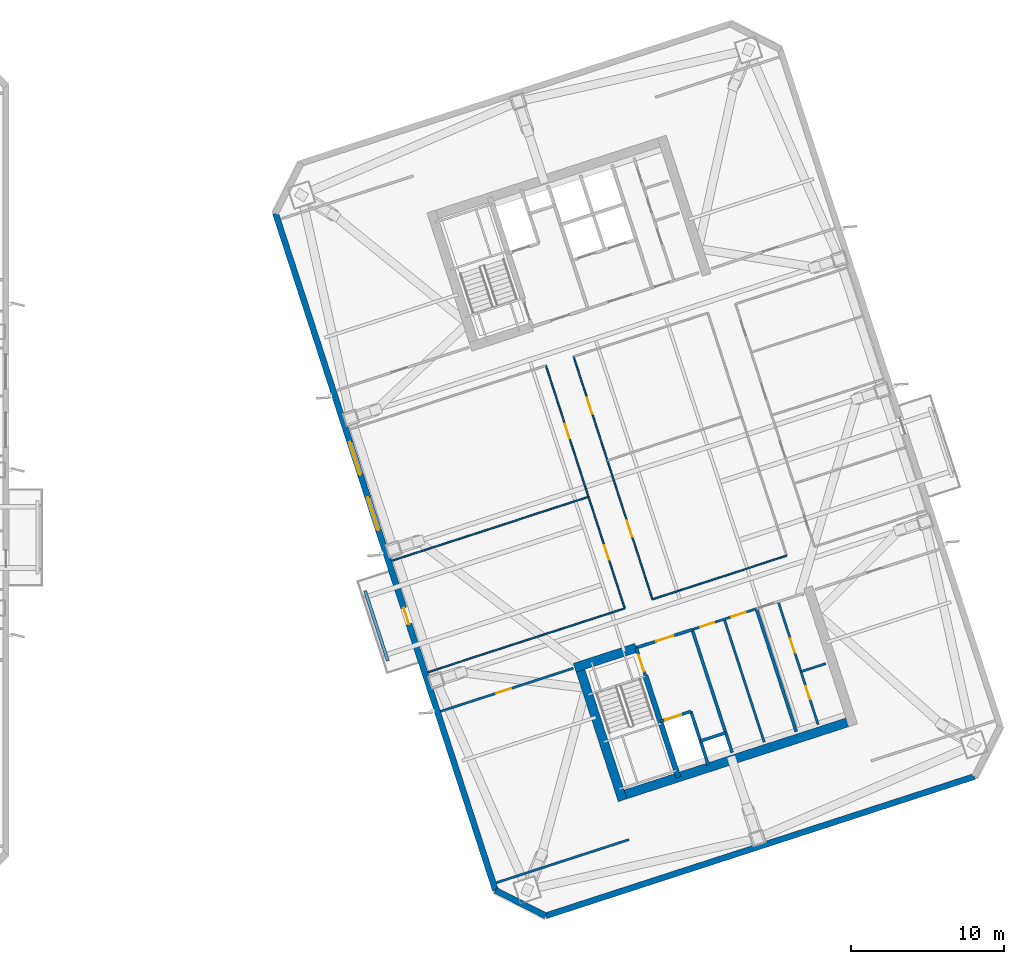
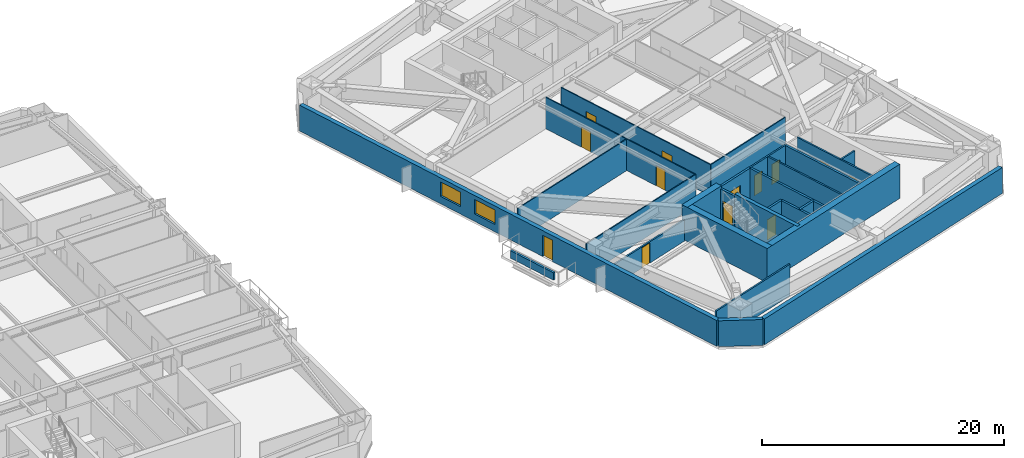
# One storey, part 8 of 17: 26 walls, 13 doors, 2 windows, 15 openings.
"""IFC4 building model written with IfcOpenShell, lengths in metres."""

from ifc_helpers import new_model, si_unit, direction, frame, frame_2d, origin, place, context, subcontext, project, spatial, rectangle, extrude, material, layer, layer_set, type_object, element, fill, save


model = new_model("IFC4")

# Units and contexts
model_context = context("Model", 3, precision=1e-05, world=origin(), true_north=direction((0.0, 1.0)))
body_context = subcontext(model_context, "Body", "Model", "MODEL_VIEW")
ifc_project = project(units=[si_unit("LENGTHUNIT", "METRE"), si_unit("AREAUNIT", "SQUARE_METRE"), si_unit("VOLUMEUNIT", "CUBIC_METRE"), si_unit("PLANEANGLEUNIT", "RADIAN"), si_unit("MASSUNIT", "GRAM", prefix="KILO")], contexts=[model_context])

# Site, building, storey
site_placement = place(None, origin())
site = spatial("IfcSite", under=ifc_project, at=site_placement, CompositionType="ELEMENT")
building_placement = place(site_placement, origin())
building = spatial("IfcBuilding", under=site, at=building_placement, Name="Qiaolan Cultural Towers", CompositionType="ELEMENT")
storey_placement = place(building_placement, frame((0.0, 0.0, 131.10009765625)))
storey = spatial("IfcBuildingStorey", under=building, at=storey_placement, Name="L34", CompositionType="ELEMENT", Elevation=131.10009765625)

# Walls
ifc_material_1 = material(Name="Concrete C50", Category="concrete")
ifc_layer_1 = layer(ifc_material_1, 0.35009765625)
ifc_layer_set_1 = layer_set([ifc_layer_1], Name="Concrete C50")
wall_type_1 = type_object("IfcWallType", Name="WL-CORE-350", PredefinedType="SHEAR", material=ifc_layer_set_1)
wall_1_placement = place(storey_placement, frame((90.486328125, 20.59423828125, 0.0), z_axis=(0.0, 0.0, 1.0), x_axis=(0.309020428229, -0.951055400562, 0.0)))
element("IfcWall", 1, at=wall_1_placement, inside=storey, type_object=wall_type_1, Name="L34 T2-CS Stair Core Dividing Web", PredefinedType="SHEAR", context=body_context, shape_type="SweptSolid", body=[
    extrude(rectangle(XDim=6.97998046875, YDim=0.35009765625, at=frame_2d((3.489990234375, 0.0))), origin(), (0.0, 0.0, 1.0), 3.449951171875),
])
ifc_material_2 = material(Name="Concrete C55", Category="concrete")
ifc_layer_2 = layer(ifc_material_2, 0.60009765625)
ifc_layer_set_2 = layer_set([ifc_layer_2], Name="Concrete C55")
wall_type_2 = type_object("IfcWallType", Name="WL-CORE-600", PredefinedType="SHEAR", material=ifc_layer_set_2)
wall_2_placement = place(storey_placement, frame((88.6298828125, 12.65185546875, 0.0), z_axis=(0.0, 0.0, 1.0), x_axis=(0.95105714907, 0.309015046886, 0.0)))
element("IfcWall", 2, at=wall_2_placement, inside=storey, type_object=wall_type_2, Name="L34 T2-CS Outer Core Shear Wall", PredefinedType="SHEAR", context=body_context, shape_type="SweptSolid", body=[
    extrude(rectangle(XDim=16.400146484375, YDim=0.60009765625, at=frame_2d((8.2001953125, 0.0))), origin(), (0.0, 0.0, 1.0), 3.449951171875),
])
wall_3_placement = place(storey_placement, frame((86.078369140625, 21.47509765625, 0.0), z_axis=(0.0, 0.0, 1.0), x_axis=(0.309017938678, -0.951056209472, 0.0)))
element("IfcWall", 3, at=wall_3_placement, inside=storey, type_object=wall_type_2, Name="L34 T2-CS West Core Shear Wall", PredefinedType="SHEAR", context=body_context, shape_type="SweptSolid", body=[
    extrude(rectangle(XDim=9.479736328125, YDim=0.60009765625, at=frame_2d((4.73974609375, 0.0))), origin(), (0.0, 0.0, 1.0), 3.449951171875),
])
wall_4_placement = place(storey_placement, frame((85.8857421875, 21.09716796875, 0.0), z_axis=(0.0, 0.0, 1.0), x_axis=(0.951068073652, 0.308981422225, 0.0)))
element("IfcWall", 4, at=wall_4_placement, inside=storey, type_object=wall_type_2, Name="L34 T2-CS Stair Front Shear Wall", PredefinedType="SHEAR", context=body_context, shape_type="SweptSolid", body=[
    extrude(rectangle(XDim=4.22021484375, YDim=0.60009765625, at=frame_2d((2.110107421875, 0.0))), origin(), (0.0, 0.0, 1.0), 3.449951171875),
])

# Wall, openings, door, windows
ifc_material_3 = material(Name="Precast Concrete C50 Honed Stone Pier", Category="masonry")
ifc_layer_3 = layer(ifc_material_3, 0.39990234375)
ifc_layer_set_3 = layer_set([ifc_layer_3], Name="Precast Concrete C50 Honed Stone Pier")
wall_type_3 = type_object("IfcWallType", Name="WL-EXT-PIER-400", PredefinedType="SOLIDWALL", material=ifc_layer_set_3)
wall_5_placement = place(storey_placement, frame((80.7158203125, 6.589599609375, 0.0), z_axis=(0.0, 0.0, 1.0), x_axis=(-0.309017542002, 0.95105633836, 0.0)))
wall_5 = element("IfcWall", 5, at=wall_5_placement, inside=storey, type_object=wall_type_3, Name="L34 East Tower Precast Pier Facade Wall F1", PredefinedType="SOLIDWALL", context=body_context, shape_type="SweptSolid", body=[
    extrude(rectangle(XDim=46.39990234375, YDim=0.39990234375, at=frame_2d((23.199951171875, 0.0))), origin(), (0.0, 0.0, 1.0), 2.60986328125),
])
opening_1_placement = place(wall_5_placement, frame((24.675048828125, 0.0, 0.75)))
opening_1 = element("IfcOpeningElement", 6, at=opening_1_placement, cuts=wall_5, Name="Opening W-03", PredefinedType="OPENING", context=body_context, shape_type="SweptSolid", body=[
    extrude(rectangle(XDim=2.25, YDim=1.4599609375, at=frame_2d((1.125, 0.72998046875))), frame((0.0, 0.2099609375, 0.0), z_axis=(0.0, -1.0, 0.0), x_axis=(1.0, 0.0, 0.0)), (0.0, 0.0, 1.0), 0.419921875),
])
opening_2_placement = place(wall_5_placement, frame((28.47509765625, 0.0, 0.75)))
opening_2 = element("IfcOpeningElement", 7, at=opening_2_placement, cuts=wall_5, Name="Opening W-03", PredefinedType="OPENING", context=body_context, shape_type="SweptSolid", body=[
    extrude(rectangle(XDim=2.25, YDim=1.4599609375, at=frame_2d((1.125, 0.72998046875))), frame((0.0, 0.2099609375, 0.0), z_axis=(0.0, -1.0, 0.0), x_axis=(1.0, 0.0, 0.0)), (0.0, 0.0, 1.0), 0.419921875),
])
opening_3_placement = place(wall_5_placement, frame((18.25, 0.0, 0.0)))
opening_3 = element("IfcOpeningElement", 8, at=opening_3_placement, cuts=wall_5, Name="Opening BD-01", PredefinedType="OPENING", context=body_context, shape_type="SweptSolid", body=[
    extrude(rectangle(XDim=1.10009765625, YDim=2.14990234375, at=frame_2d((0.550048828125, 1.074951171875))), frame((0.0, 0.2099609375, 0.0), z_axis=(0.0, -1.0, 0.0), x_axis=(1.0, 0.0, 0.0)), (0.0, 0.0, 1.0), 0.419921875),
])
ifc_material_4 = material(Name="Thermally Broken Aluminium Glazed Terrace Door", Category="aluminium")
door_type_1 = type_object("IfcDoorType", Name="DR-BAL-1100", OperationType="NOTDEFINED", PredefinedType="DOOR", material=ifc_material_4)
door_1_placement = place(opening_3_placement, origin())
door_1 = element("IfcDoor", 9, at=door_1_placement, inside=storey, type_object=door_type_1, Name="L34 T2 West Tree Balcony Door", OperationType="SINGLE_SWING_LEFT", OverallHeight=2.14990234375, OverallWidth=1.10009765625, PredefinedType="DOOR", context=body_context, shape_type="SweptSolid", body=[
    extrude(rectangle(XDim=1.10009765625, YDim=2.14990234375, at=frame_2d((0.550048828125, 1.074951171875))), frame((0.0, 0.02490234375, 0.0), z_axis=(0.0, -1.0, 0.0), x_axis=(1.0, 0.0, 0.0)), (0.0, 0.0, 1.0), 0.050048828125),
])
fill(opening_3, door_1)
ifc_material_5 = material(Name="Thermally Broken Aluminium Triple Low-E Glazing", Category="aluminium")
window_type = type_object("IfcWindowType", Name="WN-CHIC-2250", PartitioningType="SINGLE_PANEL", PredefinedType="WINDOW", material=ifc_material_5)
window_1_placement = place(opening_1_placement, origin())
window_1 = element("IfcWindow", 10, at=window_1_placement, inside=storey, type_object=window_type, Name="L34 T2 W Chicago Bay Window 1", OverallHeight=1.4599609375, OverallWidth=2.25, PartitioningType="TRIPLE_PANEL_VERTICAL", PredefinedType="WINDOW", context=body_context, shape_type="SweptSolid", body=[
    extrude(rectangle(XDim=2.25, YDim=1.4599609375, at=frame_2d((1.125, 0.72998046875))), frame((0.0, 0.030029296875, 0.0), z_axis=(0.0, -1.0, 0.0), x_axis=(1.0, 0.0, 0.0)), (0.0, 0.0, 1.0), 0.06005859375),
])
fill(opening_1, window_1)
window_2_placement = place(opening_2_placement, origin())
window_2 = element("IfcWindow", 11, at=window_2_placement, inside=storey, type_object=window_type, Name="L34 T2 W Chicago Bay Window 2", OverallHeight=1.4599609375, OverallWidth=2.25, PartitioningType="TRIPLE_PANEL_VERTICAL", PredefinedType="WINDOW", context=body_context, shape_type="SweptSolid", body=[
    extrude(rectangle(XDim=2.25, YDim=1.4599609375, at=frame_2d((1.125, 0.72998046875))), frame((0.0, 0.030029296875, 0.0), z_axis=(0.0, -1.0, 0.0), x_axis=(1.0, 0.0, 0.0)), (0.0, 0.0, 1.0), 0.06005859375),
])
fill(opening_2, window_2)

# Walls
wall_6_placement = place(storey_placement, frame((111.953125, 14.00537109375, 0.0), z_axis=(0.0, 0.0, 1.0), x_axis=(-0.95105505922, -0.309021478754, 0.0)))
element("IfcWall", 12, at=wall_6_placement, inside=storey, type_object=wall_type_3, Name="L34 East Tower Precast Pier Facade Wall F7", PredefinedType="SOLIDWALL", context=body_context, shape_type="SweptSolid", body=[
    extrude(rectangle(XDim=29.39990234375, YDim=0.39990234375, at=frame_2d((14.699951171875, 0.0))), origin(), (0.0, 0.0, 1.0), 2.60986328125),
])
wall_7_placement = place(storey_placement, frame((83.9921875, 4.920166015625, 0.0), z_axis=(0.0, 0.0, 1.0), x_axis=(-0.891001999643, 0.45399937955, 0.0)))
element("IfcWall", 13, at=wall_7_placement, inside=storey, type_object=wall_type_3, Name="L34 East Tower Precast Pier Facade Wall F8", PredefinedType="SOLIDWALL", context=body_context, shape_type="SweptSolid", body=[
    extrude(rectangle(XDim=3.67724609375, YDim=0.39990234375, at=frame_2d((1.838623046875, 0.0))), origin(), (0.0, 0.0, 1.0), 2.60986328125),
])

# Wall, opening, door
ifc_material_6 = material(Name="Concrete C35 Fire Wall", Category="concrete")
ifc_layer_4 = layer(ifc_material_6, 0.199951171875)
ifc_layer_set_4 = layer_set([ifc_layer_4], Name="Concrete C35 Fire Wall")
wall_type_4 = type_object("IfcWallType", Name="WL-FIRE-200", PredefinedType="PARTITIONING", material=ifc_layer_set_4)
wall_8_placement = place(storey_placement, frame((89.8994140625, 22.401123046875, 0.0), z_axis=(0.0, 0.0, 1.0), x_axis=(0.308932062672, -0.951084108086, 0.0)))
wall_8 = element("IfcWall", 14, at=wall_8_placement, inside=storey, type_object=wall_type_4, Name="L34 T2-CS Smokeproof Stair Entry Wall", PredefinedType="PARTITIONING", context=body_context, shape_type="SweptSolid", body=[
    extrude(rectangle(XDim=1.89990234375, YDim=0.199951171875, at=frame_2d((0.949951171875, 0.0))), origin(), (0.0, 0.0, 1.0), 3.1748046875),
])
opening_4_placement = place(wall_8_placement, frame((0.52001953125, 0.0, 0.0)))
opening_4 = element("IfcOpeningElement", 15, at=opening_4_placement, cuts=wall_8, Name="Opening FD-04", PredefinedType="OPENING", context=body_context, shape_type="SweptSolid", body=[
    extrude(rectangle(XDim=1.10009765625, YDim=2.050048828125, at=frame_2d((0.550048828125, 1.02490234375))), frame((0.0, 0.10986328125, 0.0), z_axis=(0.0, -1.0, 0.0), x_axis=(1.0, 0.0, 0.0)), (0.0, 0.0, 1.0), 0.219970703125),
])
ifc_material_7 = material(Name="Galvanized Steel Command Fire Door", Category="steel")
door_type_2 = type_object("IfcDoorType", Name="DR-FD90-1100", OperationType="NOTDEFINED", PredefinedType="DOOR", material=ifc_material_7)
door_2_placement = place(opening_4_placement, origin())
door_2 = element("IfcDoor", 16, at=door_2_placement, inside=storey, type_object=door_type_2, Name="L34 ST-E1 Smokeproof Stair Fire Door", OperationType="SINGLE_SWING_LEFT", OverallHeight=2.050048828125, OverallWidth=1.10009765625, PredefinedType="DOOR", context=body_context, shape_type="SweptSolid", body=[
    extrude(rectangle(XDim=1.10009765625, YDim=2.050048828125, at=frame_2d((0.550048828125, 1.02490234375))), frame((0.0, 0.02490234375, 0.0), z_axis=(0.0, -1.0, 0.0), x_axis=(1.0, 0.0, 0.0)), (0.0, 0.0, 1.0), 0.050048828125),
])
fill(opening_4, door_2)

# Wall
wall_9_placement = place(storey_placement, frame((93.541748046875, 23.584716796875, 0.0), z_axis=(0.0, 0.0, 1.0), x_axis=(0.309042196757, -0.951048327176, 0.0)))
element("IfcWall", 17, at=wall_9_placement, inside=storey, type_object=wall_type_4, Name="L34 T2-CS Firefighting Zone Wall", PredefinedType="PARTITIONING", context=body_context, shape_type="SweptSolid", body=[
    extrude(rectangle(XDim=8.429931640625, YDim=0.199951171875, at=frame_2d((4.21484375, 0.0))), origin(), (0.0, 0.0, 1.0), 3.1748046875),
])

# Wall, opening, door
wall_10_placement = place(storey_placement, frame((89.8994140625, 22.401123046875, 0.0), z_axis=(0.0, 0.0, 1.0), x_axis=(0.951046716504, 0.309047153403, 0.0)))
wall_10 = element("IfcWall", 18, at=wall_10_placement, inside=storey, type_object=wall_type_4, Name="L34 T2-CS Firefighting Lobby Front Wall", PredefinedType="PARTITIONING", context=body_context, shape_type="SweptSolid", body=[
    extrude(rectangle(XDim=3.829833984375, YDim=0.199951171875, at=frame_2d((1.9150390625, 0.0))), origin(), (0.0, 0.0, 1.0), 3.1748046875),
])
opening_5_placement = place(wall_10_placement, frame((1.35009765625, 0.0, 0.0)))
opening_5 = element("IfcOpeningElement", 19, at=opening_5_placement, cuts=wall_10, Name="Opening FD-03", PredefinedType="OPENING", context=body_context, shape_type="SweptSolid", body=[
    extrude(rectangle(XDim=1.199951171875, YDim=2.050048828125, at=frame_2d((0.60009765625, 1.02490234375))), frame((0.0, 0.10986328125, 0.0), z_axis=(0.0, -1.0, 0.0), x_axis=(1.0, 0.0, 0.0)), (0.0, 0.0, 1.0), 0.219970703125),
])
ifc_material_8 = material(Name="Galvanized Steel Smokeproof Lobby Fire Door", Category="steel")
door_type_3 = type_object("IfcDoorType", Name="DR-FD90-1200", OperationType="NOTDEFINED", PredefinedType="DOOR", material=ifc_material_8)
door_3_placement = place(opening_5_placement, origin())
door_3 = element("IfcDoor", 20, at=door_3_placement, inside=storey, type_object=door_type_3, Name="L34 FFL-E1 Firefighting Lobby Fire Door", OperationType="SINGLE_SWING_LEFT", OverallHeight=2.050048828125, OverallWidth=1.199951171875, PredefinedType="DOOR", context=body_context, shape_type="SweptSolid", body=[
    extrude(rectangle(XDim=1.199951171875, YDim=2.050048828125, at=frame_2d((0.60009765625, 1.02490234375))), frame((0.0, 0.02490234375, 0.0), z_axis=(0.0, -1.0, 0.0), x_axis=(1.0, 0.0, 0.0)), (0.0, 0.0, 1.0), 0.050048828125),
])
fill(opening_5, door_3)

wall_11_placement = place(storey_placement, frame((91.459716796875, 17.598388671875, 0.0), z_axis=(0.0, 0.0, 1.0), x_axis=(0.951062257173, 0.308999325213, 0.0)))
wall_11 = element("IfcWall", 21, at=wall_11_placement, inside=storey, type_object=wall_type_4, Name="L34 T2-CS Firefighting Shaft Front Wall", PredefinedType="PARTITIONING", context=body_context, shape_type="SweptSolid", body=[
    extrude(rectangle(XDim=2.10009765625, YDim=0.199951171875, at=frame_2d((1.050048828125, 0.0))), origin(), (0.0, 0.0, 1.0), 3.1748046875),
])
opening_6_placement = place(wall_11_placement, frame((0.35009765625, 0.0, 0.0)))
opening_6 = element("IfcOpeningElement", 22, at=opening_6_placement, cuts=wall_11, Name="Opening LD-01", PredefinedType="OPENING", context=body_context, shape_type="SweptSolid", body=[
    extrude(rectangle(XDim=1.10009765625, YDim=2.050048828125, at=frame_2d((0.550048828125, 1.02490234375))), frame((0.0, 0.10986328125, 0.0), z_axis=(0.0, -1.0, 0.0), x_axis=(1.0, 0.0, 0.0)), (0.0, 0.0, 1.0), 0.219970703125),
])
ifc_material_9 = material(Name="Brushed Stainless Steel S30408 Centre-Parting Lift Landing Door", Category="steel")
door_type_4 = type_object("IfcDoorType", Name="DR-LIFT-1100", OperationType="NOTDEFINED", PredefinedType="DOOR", material=ifc_material_9)
door_4_placement = place(opening_6_placement, origin())
door_4 = element("IfcDoor", 23, at=door_4_placement, inside=storey, type_object=door_type_4, Name="L34 FFL-E1 Firefighting Lift Landing Door", OperationType="DOUBLE_DOOR_SLIDING", OverallHeight=2.050048828125, OverallWidth=1.10009765625, PredefinedType="DOOR", context=body_context, shape_type="SweptSolid", body=[
    extrude(rectangle(XDim=1.10009765625, YDim=2.050048828125, at=frame_2d((0.550048828125, 1.02490234375))), frame((0.0, 0.02490234375, 0.0), z_axis=(0.0, -1.0, 0.0), x_axis=(1.0, 0.0, 0.0)), (0.0, 0.0, 1.0), 0.050048828125),
])
fill(opening_6, door_4)

# Walls
wall_12_placement = place(storey_placement, frame((93.45703125, 18.247314453125, 0.0), z_axis=(0.0, 0.0, 1.0), x_axis=(0.3089935693, -0.951064127245, 0.0)))
element("IfcWall", 24, at=wall_12_placement, inside=storey, type_object=wall_type_4, Name="L34 T2-CS Firefighting Hoistway East Wall", PredefinedType="PARTITIONING", context=body_context, shape_type="SweptSolid", body=[
    extrude(rectangle(XDim=3.7001953125, YDim=0.199951171875, at=frame_2d((1.85009765625, 0.0))), origin(), (0.0, 0.0, 1.0), 3.1748046875),
])
wall_13_placement = place(storey_placement, frame((94.08447265625, 16.316650390625, 0.0), z_axis=(0.0, 0.0, 1.0), x_axis=(0.951041328149, 0.309063734775, 0.0)))
element("IfcWall", 25, at=wall_13_placement, inside=storey, type_object=wall_type_4, Name="L34 T2-CS Pressurization Shaft Front Wall", PredefinedType="PARTITIONING", context=body_context, shape_type="SweptSolid", body=[
    extrude(rectangle(XDim=1.72998046875, YDim=0.199951171875, at=frame_2d((0.864990234375, 0.0))), origin(), (0.0, 0.0, 1.0), 3.1748046875),
])
wall_14_placement = place(storey_placement, frame((97.7265625, 24.9443359375, 0.0), z_axis=(0.0, 0.0, 1.0), x_axis=(0.309016001439, -0.951056838919, 0.0)))
element("IfcWall", 26, at=wall_14_placement, inside=storey, type_object=wall_type_4, Name="L34 T2-CS Lift Core East Wall", PredefinedType="PARTITIONING", context=body_context, shape_type="SweptSolid", body=[
    extrude(rectangle(XDim=8.429931640625, YDim=0.199951171875, at=frame_2d((4.21484375, 0.0))), origin(), (0.0, 0.0, 1.0), 3.1748046875),
])
ifc_material_10 = material(Name="Acoustic Double-Glazed Partition Frame", Category="glass")
ifc_layer_5 = layer(ifc_material_10, 0.10009765625)
ifc_layer_set_5 = layer_set([ifc_layer_5], Name="Acoustic Double-Glazed Partition Frame")
wall_type_5 = type_object("IfcWallType", Name="WL-GLAZED-100", PredefinedType="MOVABLE", material=ifc_layer_set_5)
wall_15_placement = place(storey_placement, frame((76.307861328125, 20.802978515625, 0.0), z_axis=(0.0, 0.0, 1.0), x_axis=(0.951054001411, 0.309024734286, 0.0)))
element("IfcWall", 27, at=wall_15_placement, inside=storey, type_object=wall_type_5, Name="L34 T2 Interior Wall", PredefinedType="MOVABLE", context=body_context, shape_type="SweptSolid", body=[
    extrude(rectangle(XDim=13.500244140625, YDim=0.10009765625, at=frame_2d((6.75, 0.0))), origin(), (0.0, 0.0, 1.0), 3.1748046875),
])
wall_16_placement = place(storey_placement, frame((90.954345703125, 25.561767578125, 0.0), z_axis=(0.0, 0.0, 1.0), x_axis=(0.951052398814, 0.309029666393, 0.0)))
element("IfcWall", 28, at=wall_16_placement, inside=storey, type_object=wall_type_5, Name="L34 T2 Interior Wall", PredefinedType="MOVABLE", context=body_context, shape_type="SweptSolid", body=[
    extrude(rectangle(XDim=9.19970703125, YDim=0.10009765625, at=frame_2d((4.599853515625, 0.0))), origin(), (0.0, 0.0, 1.0), 3.1748046875),
])

# Wall, openings, doors
wall_17_placement = place(storey_placement, frame((89.147216796875, 24.974853515625, 0.0), z_axis=(0.0, 0.0, 1.0), x_axis=(-0.309022042254, 0.951054876125, 0.0)))
wall_17 = element("IfcWall", 29, at=wall_17_placement, inside=storey, type_object=wall_type_5, Name="L34 T2 Interior Wall", PredefinedType="MOVABLE", context=body_context, shape_type="SweptSolid", body=[
    extrude(rectangle(XDim=16.639892578125, YDim=0.10009765625, at=frame_2d((8.31982421875, 0.0))), origin(), (0.0, 0.0, 1.0), 3.1748046875),
])
opening_7_placement = place(wall_17_placement, frame((3.320068359375, 0.0, 0.0)))
opening_7 = element("IfcOpeningElement", 30, at=opening_7_placement, cuts=wall_17, Name="Opening ID-04", PredefinedType="OPENING", context=body_context, shape_type="SweptSolid", body=[
    extrude(rectangle(XDim=1.0, YDim=2.050048828125, at=frame_2d((0.5, 1.02490234375))), frame((0.0, 0.06005859375, 0.0), z_axis=(0.0, -1.0, 0.0), x_axis=(1.0, 0.0, 0.0)), (0.0, 0.0, 1.0), 0.1201171875),
])
opening_8_placement = place(wall_17_placement, frame((11.639892578125, 0.0, 0.0)))
opening_8 = element("IfcOpeningElement", 31, at=opening_8_placement, cuts=wall_17, Name="Opening ID-04", PredefinedType="OPENING", context=body_context, shape_type="SweptSolid", body=[
    extrude(rectangle(XDim=1.0, YDim=2.050048828125, at=frame_2d((0.5, 1.02490234375))), frame((0.0, 0.06005859375, 0.0), z_axis=(0.0, -1.0, 0.0), x_axis=(1.0, 0.0, 0.0)), (0.0, 0.0, 1.0), 0.1201171875),
])
ifc_material_11 = material(Name="Oak Veneer Acoustic Office Door", Category="timber")
door_type_5 = type_object("IfcDoorType", Name="DR-INT-1000", OperationType="NOTDEFINED", PredefinedType="DOOR", material=ifc_material_11)
door_5_placement = place(opening_7_placement, origin())
door_5 = element("IfcDoor", 32, at=door_5_placement, inside=storey, type_object=door_type_5, Name="L34 T2 Design Research Studio Door", OperationType="SINGLE_SWING_LEFT", OverallHeight=2.050048828125, OverallWidth=1.0, PredefinedType="DOOR", context=body_context, shape_type="SweptSolid", body=[
    extrude(rectangle(XDim=1.0, YDim=2.050048828125, at=frame_2d((0.5, 1.02490234375))), frame((0.0, 0.02490234375, 0.0), z_axis=(0.0, -1.0, 0.0), x_axis=(1.0, 0.0, 0.0)), (0.0, 0.0, 1.0), 0.050048828125),
])
fill(opening_7, door_5)
door_6_placement = place(opening_8_placement, origin())
door_6 = element("IfcDoor", 33, at=door_6_placement, inside=storey, type_object=door_type_5, Name="L34 T2 Design Research Studio Door", OperationType="SINGLE_SWING_RIGHT", OverallHeight=2.050048828125, OverallWidth=1.0, PredefinedType="DOOR", context=body_context, shape_type="SweptSolid", body=[
    extrude(rectangle(XDim=1.0, YDim=2.050048828125, at=frame_2d((0.5, 1.02490234375))), frame((0.0, 0.02490234375, 0.0), z_axis=(0.0, -1.0, 0.0), x_axis=(1.0, 0.0, 0.0)), (0.0, 0.0, 1.0), 0.050048828125),
])
fill(opening_8, door_6)

wall_18_placement = place(storey_placement, frame((90.954345703125, 25.561767578125, 0.0), z_axis=(0.0, 0.0, 1.0), x_axis=(-0.30901773025, 0.951056277195, 0.0)))
wall_18 = element("IfcWall", 34, at=wall_18_placement, inside=storey, type_object=wall_type_5, Name="L34 T2 Interior Wall", PredefinedType="MOVABLE", context=body_context, shape_type="SweptSolid", body=[
    extrude(rectangle(XDim=16.64013671875, YDim=0.10009765625, at=frame_2d((8.320068359375, 0.0))), origin(), (0.0, 0.0, 1.0), 3.1748046875),
])
opening_9_placement = place(wall_18_placement, frame((4.283935546875, 0.0, 0.0)))
opening_9 = element("IfcOpeningElement", 35, at=opening_9_placement, cuts=wall_18, Name="Opening ID-03", PredefinedType="OPENING", context=body_context, shape_type="SweptSolid", body=[
    extrude(rectangle(XDim=1.10009765625, YDim=2.050048828125, at=frame_2d((0.550048828125, 1.02490234375))), frame((0.0, 0.06005859375, 0.0), z_axis=(0.0, -1.0, 0.0), x_axis=(1.0, 0.0, 0.0)), (0.0, 0.0, 1.0), 0.1201171875),
])
opening_10_placement = place(wall_18_placement, frame((12.72412109375, 0.0, 0.0)))
opening_10 = element("IfcOpeningElement", 36, at=opening_10_placement, cuts=wall_18, Name="Opening ID-03", PredefinedType="OPENING", context=body_context, shape_type="SweptSolid", body=[
    extrude(rectangle(XDim=1.10009765625, YDim=2.050048828125, at=frame_2d((0.550048828125, 1.02490234375))), frame((0.0, 0.06005859375, 0.0), z_axis=(0.0, -1.0, 0.0), x_axis=(1.0, 0.0, 0.0)), (0.0, 0.0, 1.0), 0.1201171875),
])
ifc_material_12 = material(Name="Oak Veneer Solid-Core Boardroom Door", Category="timber")
door_type_6 = type_object("IfcDoorType", Name="DR-INT-1100", OperationType="NOTDEFINED", PredefinedType="DOOR", material=ifc_material_12)
door_7_placement = place(opening_9_placement, origin())
door_7 = element("IfcDoor", 37, at=door_7_placement, inside=storey, type_object=door_type_6, Name="L34 T2 Central Boardroom Door", OperationType="SINGLE_SWING_LEFT", OverallHeight=2.050048828125, OverallWidth=1.10009765625, PredefinedType="DOOR", context=body_context, shape_type="SweptSolid", body=[
    extrude(rectangle(XDim=1.10009765625, YDim=2.050048828125, at=frame_2d((0.550048828125, 1.02490234375))), frame((0.0, 0.02490234375, 0.0), z_axis=(0.0, -1.0, 0.0), x_axis=(1.0, 0.0, 0.0)), (0.0, 0.0, 1.0), 0.050048828125),
])
fill(opening_9, door_7)
door_8_placement = place(opening_10_placement, origin())
door_8 = element("IfcDoor", 38, at=door_8_placement, inside=storey, type_object=door_type_6, Name="L34 T2 Central Archive Salon Door", OperationType="SINGLE_SWING_RIGHT", OverallHeight=2.050048828125, OverallWidth=1.10009765625, PredefinedType="DOOR", context=body_context, shape_type="SweptSolid", body=[
    extrude(rectangle(XDim=1.10009765625, YDim=2.050048828125, at=frame_2d((0.550048828125, 1.02490234375))), frame((0.0, 0.02490234375, 0.0), z_axis=(0.0, -1.0, 0.0), x_axis=(1.0, 0.0, 0.0)), (0.0, 0.0, 1.0), 0.050048828125),
])
fill(opening_10, door_8)

# Wall
wall_19_placement = place(storey_placement, frame((73.947021484375, 28.069091796875, 0.0), z_axis=(0.0, 0.0, 1.0), x_axis=(0.951059316265, 0.309008376821, 0.0)))
element("IfcWall", 39, at=wall_19_placement, inside=storey, type_object=wall_type_5, Name="L34 T2 Interior Wall", PredefinedType="MOVABLE", context=body_context, shape_type="SweptSolid", body=[
    extrude(rectangle(XDim=13.5, YDim=0.10009765625, at=frame_2d((6.75, 0.0))), origin(), (0.0, 0.0, 1.0), 3.1748046875),
])

# Wall, openings, doors
ifc_material_13 = material(Name="Autoclaved Aerated Concrete Block B06", Category="concrete")
ifc_layer_6 = layer(ifc_material_13, 0.14990234375)
ifc_layer_set_6 = layer_set([ifc_layer_6], Name="Autoclaved Aerated Concrete Block B06")
wall_type_6 = type_object("IfcWallType", Name="WL-PART-150", PredefinedType="PARTITIONING", material=ifc_layer_set_6)
wall_20_placement = place(storey_placement, frame((93.541748046875, 23.584716796875, 0.0), z_axis=(0.0, 0.0, 1.0), x_axis=(0.951063829732, 0.308994485023, 0.0)))
wall_20 = element("IfcWall", 40, at=wall_20_placement, inside=storey, type_object=wall_type_6, Name="L34 T2-CS Reclaimed Core Room Front Wall", PredefinedType="PARTITIONING", context=body_context, shape_type="SweptSolid", body=[
    extrude(rectangle(XDim=4.400146484375, YDim=0.14990234375, at=frame_2d((2.2001953125, 0.0))), origin(), (0.0, 0.0, 1.0), 3.1748046875),
])
opening_11_placement = place(wall_20_placement, frame((0.550048828125, 0.0, 0.0)))
opening_11 = element("IfcOpeningElement", 41, at=opening_11_placement, cuts=wall_20, Name="Opening ID-05", PredefinedType="OPENING", context=body_context, shape_type="SweptSolid", body=[
    extrude(rectangle(XDim=0.949951171875, YDim=2.050048828125, at=frame_2d((0.47509765625, 1.02490234375))), frame((0.0, 0.0849609375, 0.0), z_axis=(0.0, -1.0, 0.0), x_axis=(1.0, 0.0, 0.0)), (0.0, 0.0, 1.0), 0.169921875),
])
opening_12_placement = place(wall_20_placement, frame((2.699951171875, 0.0, 0.0)))
opening_12 = element("IfcOpeningElement", 42, at=opening_12_placement, cuts=wall_20, Name="Opening ID-05", PredefinedType="OPENING", context=body_context, shape_type="SweptSolid", body=[
    extrude(rectangle(XDim=0.949951171875, YDim=2.050048828125, at=frame_2d((0.47509765625, 1.02490234375))), frame((0.0, 0.0849609375, 0.0), z_axis=(0.0, -1.0, 0.0), x_axis=(1.0, 0.0, 0.0)), (0.0, 0.0, 1.0), 0.169921875),
])
ifc_material_14 = material(Name="Fire-Rated Laminate Accessible Core Door", Category="timber")
door_type_7 = type_object("IfcDoorType", Name="DR-INT-950", OperationType="NOTDEFINED", PredefinedType="DOOR", material=ifc_material_14)
door_9_placement = place(opening_11_placement, origin())
door_9 = element("IfcDoor", 43, at=door_9_placement, inside=storey, type_object=door_type_7, Name="L34 Copy Print Room Door", OperationType="SINGLE_SWING_LEFT", OverallHeight=2.050048828125, OverallWidth=0.949951171875, PredefinedType="DOOR", context=body_context, shape_type="SweptSolid", body=[
    extrude(rectangle(XDim=0.949951171875, YDim=2.050048828125, at=frame_2d((0.47509765625, 1.02490234375))), frame((0.0, 0.02490234375, 0.0), z_axis=(0.0, -1.0, 0.0), x_axis=(1.0, 0.0, 0.0)), (0.0, 0.0, 1.0), 0.050048828125),
])
fill(opening_11, door_9)
door_10_placement = place(opening_12_placement, origin())
door_10 = element("IfcDoor", 44, at=door_10_placement, inside=storey, type_object=door_type_7, Name="L34 Tea Pantry Room Door", OperationType="SINGLE_SWING_RIGHT", OverallHeight=2.050048828125, OverallWidth=0.949951171875, PredefinedType="DOOR", context=body_context, shape_type="SweptSolid", body=[
    extrude(rectangle(XDim=0.949951171875, YDim=2.050048828125, at=frame_2d((0.47509765625, 1.02490234375))), frame((0.0, 0.02490234375, 0.0), z_axis=(0.0, -1.0, 0.0), x_axis=(1.0, 0.0, 0.0)), (0.0, 0.0, 1.0), 0.050048828125),
])
fill(opening_12, door_10)

# Wall
wall_21_placement = place(storey_placement, frame((95.63427734375, 24.2646484375, 0.0), z_axis=(0.0, 0.0, 1.0), x_axis=(0.309007490203, -0.951059604335, 0.0)))
element("IfcWall", 45, at=wall_21_placement, inside=storey, type_object=wall_type_6, Name="L34 T2-CS Reclaimed Twin Room Wall", PredefinedType="PARTITIONING", context=body_context, shape_type="SweptSolid", body=[
    extrude(rectangle(XDim=8.43017578125, YDim=0.14990234375, at=frame_2d((4.215087890625, 0.0))), origin(), (0.0, 0.0, 1.0), 3.1748046875),
])

# Wall, openings, doors
wall_22_placement = place(storey_placement, frame((99.153076171875, 25.407958984375, 0.0), z_axis=(0.0, 0.0, 1.0), x_axis=(0.309016001439, -0.951056838919, 0.0)))
wall_22 = element("IfcWall", 46, at=wall_22_placement, inside=storey, type_object=wall_type_6, Name="L34 T2-CS Washroom Split Wall", PredefinedType="PARTITIONING", context=body_context, shape_type="SweptSolid", body=[
    extrude(rectangle(XDim=8.429931640625, YDim=0.14990234375, at=frame_2d((4.21484375, 0.0))), origin(), (0.0, 0.0, 1.0), 3.1748046875),
])
opening_13_placement = place(wall_22_placement, frame((2.550048828125, 0.0, 0.0)))
opening_13 = element("IfcOpeningElement", 47, at=opening_13_placement, cuts=wall_22, Name="Opening ID-05", PredefinedType="OPENING", context=body_context, shape_type="SweptSolid", body=[
    extrude(rectangle(XDim=0.949951171875, YDim=2.050048828125, at=frame_2d((0.47509765625, 1.02490234375))), frame((0.0, 0.0849609375, 0.0), z_axis=(0.0, -1.0, 0.0), x_axis=(1.0, 0.0, 0.0)), (0.0, 0.0, 1.0), 0.169921875),
])
opening_14_placement = place(wall_22_placement, frame((5.800048828125, 0.0, 0.0)))
opening_14 = element("IfcOpeningElement", 48, at=opening_14_placement, cuts=wall_22, Name="Opening ID-06", PredefinedType="OPENING", context=body_context, shape_type="SweptSolid", body=[
    extrude(rectangle(XDim=0.89990234375, YDim=2.050048828125, at=frame_2d((0.449951171875, 1.02490234375))), frame((0.0, 0.0849609375, 0.0), z_axis=(0.0, -1.0, 0.0), x_axis=(1.0, 0.0, 0.0)), (0.0, 0.0, 1.0), 0.169921875),
])
ifc_material_15 = material(Name="Fire-Rated Laminate Core Service Door", Category="timber")
door_type_8 = type_object("IfcDoorType", Name="DR-INT-900", OperationType="NOTDEFINED", PredefinedType="DOOR", material=ifc_material_15)
door_11_placement = place(opening_14_placement, origin())
door_11 = element("IfcDoor", 49, at=door_11_placement, inside=storey, type_object=door_type_8, Name="L34 First-Aid Room Door", OperationType="SINGLE_SWING_RIGHT", OverallHeight=2.050048828125, OverallWidth=0.89990234375, PredefinedType="DOOR", context=body_context, shape_type="SweptSolid", body=[
    extrude(rectangle(XDim=0.89990234375, YDim=2.050048828125, at=frame_2d((0.449951171875, 1.02490234375))), frame((0.0, 0.02490234375, 0.0), z_axis=(0.0, -1.0, 0.0), x_axis=(1.0, 0.0, 0.0)), (0.0, 0.0, 1.0), 0.050048828125),
])
fill(opening_14, door_11)
door_12_placement = place(opening_13_placement, origin())
door_12 = element("IfcDoor", 50, at=door_12_placement, inside=storey, type_object=door_type_7, Name="L34 Accessible Washroom Door", OperationType="SINGLE_SWING_LEFT", OverallHeight=2.050048828125, OverallWidth=0.949951171875, PredefinedType="DOOR", context=body_context, shape_type="SweptSolid", body=[
    extrude(rectangle(XDim=0.949951171875, YDim=2.050048828125, at=frame_2d((0.47509765625, 1.02490234375))), frame((0.0, 0.02490234375, 0.0), z_axis=(0.0, -1.0, 0.0), x_axis=(1.0, 0.0, 0.0)), (0.0, 0.0, 1.0), 0.050048828125),
])
fill(opening_13, door_12)

# Walls
wall_23_placement = place(storey_placement, frame((100.636474609375, 20.8427734375, 0.0), z_axis=(0.0, 0.0, 1.0), x_axis=(0.951040401051, 0.309066587596, 0.0)))
element("IfcWall", 51, at=wall_23_placement, inside=storey, type_object=wall_type_6, Name="L34 T2-CS First-Aid Wall", PredefinedType="PARTITIONING", context=body_context, shape_type="SweptSolid", body=[
    extrude(rectangle(XDim=1.699951171875, YDim=0.14990234375, at=frame_2d((0.85009765625, 0.0))), origin(), (0.0, 0.0, 1.0), 3.1748046875),
])
wall_24_placement = place(storey_placement, frame((80.76708984375, 7.079345703125, 0.0), z_axis=(0.0, 0.0, 1.0), x_axis=(0.951057133767, 0.309015093986, 0.0)))
element("IfcWall", 52, at=wall_24_placement, inside=storey, type_object=wall_type_6, Name="L34 T2 Flank Wall FLK-SW", PredefinedType="PARTITIONING", context=body_context, shape_type="SweptSolid", body=[
    extrude(rectangle(XDim=9.099853515625, YDim=0.14990234375, at=frame_2d((4.5498046875, 0.0))), origin(), (0.0, 0.0, 1.0), 3.1748046875),
])

# Wall, opening, door
wall_25_placement = place(storey_placement, frame((77.13623046875, 18.254150390625, 0.0), z_axis=(0.0, 0.0, 1.0), x_axis=(0.951057133767, 0.309015093986, 0.0)))
wall_25 = element("IfcWall", 53, at=wall_25_placement, inside=storey, type_object=wall_type_6, Name="L34 T2 Flank Front FLK-SW", PredefinedType="PARTITIONING", context=body_context, shape_type="SweptSolid", body=[
    extrude(rectangle(XDim=9.099853515625, YDim=0.14990234375, at=frame_2d((4.5498046875, 0.0))), origin(), (0.0, 0.0, 1.0), 2.14990234375),
])
opening_15_placement = place(wall_25_placement, frame((3.822021484375, 0.0, 0.0)))
opening_15 = element("IfcOpeningElement", 54, at=opening_15_placement, cuts=wall_25, Name="Opening ID-04", PredefinedType="OPENING", context=body_context, shape_type="SweptSolid", body=[
    extrude(rectangle(XDim=1.0, YDim=2.050048828125, at=frame_2d((0.5, 1.02490234375))), frame((0.0, 0.0849609375, 0.0), z_axis=(0.0, -1.0, 0.0), x_axis=(1.0, 0.0, 0.0)), (0.0, 0.0, 1.0), 0.169921875),
])
door_13_placement = place(opening_15_placement, origin())
door_13 = element("IfcDoor", 55, at=door_13_placement, inside=storey, type_object=door_type_5, Name="L34 T2 Corner Studio Door", OperationType="SINGLE_SWING_LEFT", OverallHeight=2.050048828125, OverallWidth=1.0, PredefinedType="DOOR", context=body_context, shape_type="SweptSolid", body=[
    extrude(rectangle(XDim=1.0, YDim=2.050048828125, at=frame_2d((0.5, 1.02490234375))), frame((0.0, 0.02490234375, 0.0), z_axis=(0.0, -1.0, 0.0), x_axis=(1.0, 0.0, 0.0)), (0.0, 0.0, 1.0), 0.050048828125),
])
fill(opening_15, door_13)

# Wall
ifc_material_16 = material(Name="Precast Concrete C45 Tree Planter Upstand", Category="concrete")
ifc_layer_7 = layer(ifc_material_16, 0.199951171875)
ifc_layer_set_7 = layer_set([ifc_layer_7], Name="Precast Concrete C45 Tree Planter Upstand")
wall_type_7 = type_object("IfcWallType", Name="WL-PLANTER-200", PredefinedType="PARAPET", material=ifc_layer_set_7)
wall_26_placement = place(storey_placement, frame((73.698486328125, 21.55322265625, 0.0), z_axis=(0.0, 0.0, 1.0), x_axis=(-0.309032019345, 0.951051634255, 0.0)))
element("IfcWall", 56, at=wall_26_placement, inside=storey, type_object=wall_type_7, Name="L34 T2 Tree Balcony Soil Planter Box W", PredefinedType="PARAPET", context=body_context, shape_type="SweptSolid", body=[
    extrude(rectangle(XDim=4.800048828125, YDim=0.199951171875, at=frame_2d((2.39990234375, 0.0))), origin(), (0.0, 0.0, 1.0), 0.75),
])

save(model, "model.ifc")
